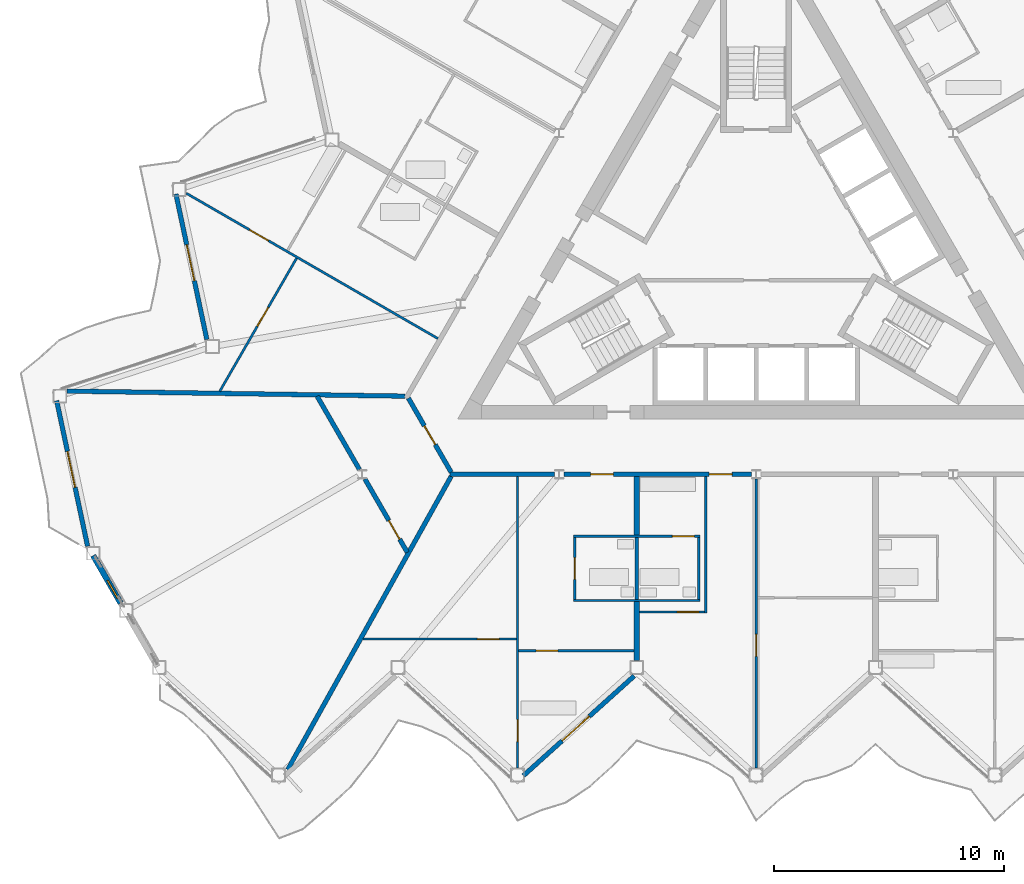
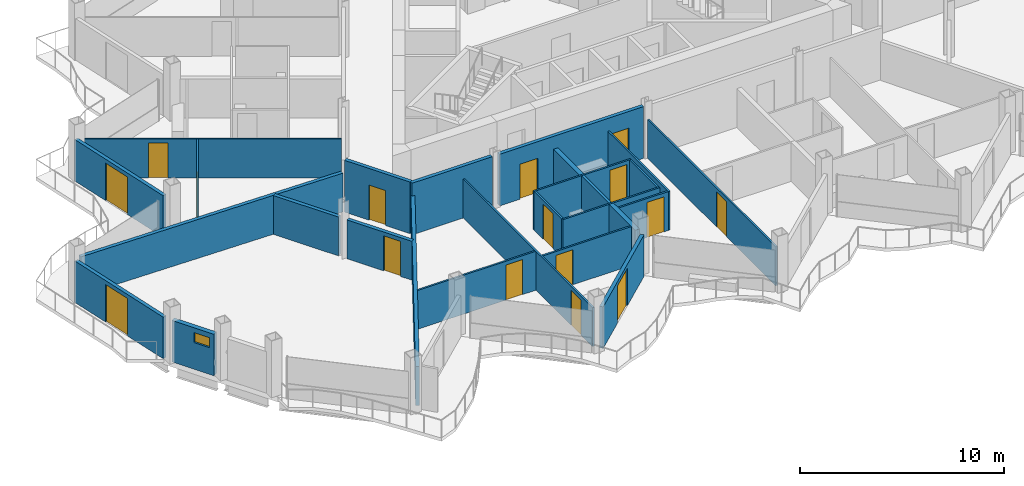
# One storey, part 13 of 26: 26 walls, 16 doors, 1 window, 17 openings.
"""IFC4 building model written with IfcOpenShell, lengths in metres."""

from ifc_helpers import new_model, si_unit, direction, frame, frame_2d, origin, place, context, subcontext, project, spatial, rectangle, extrude, material, layer, layer_set, type_object, element, fill, save


model = new_model("IFC4")

# Units and contexts
model_context = context("Model", 3, precision=1e-05, world=origin(), true_north=direction((0.0, 1.0)))
body_context = subcontext(model_context, "Body", "Model", "MODEL_VIEW")
ifc_project = project(units=[si_unit("LENGTHUNIT", "METRE"), si_unit("AREAUNIT", "SQUARE_METRE"), si_unit("VOLUMEUNIT", "CUBIC_METRE"), si_unit("PLANEANGLEUNIT", "RADIAN"), si_unit("MASSUNIT", "GRAM", prefix="KILO")], contexts=[model_context])

# Site, building, storey
site_placement = place(None, origin())
site = spatial("IfcSite", under=ifc_project, at=site_placement, CompositionType="ELEMENT")
building_placement = place(site_placement, origin())
building = spatial("IfcBuilding", under=site, at=building_placement, Name="Cormorant Prow Tower", CompositionType="ELEMENT")
storey_placement = place(building_placement, frame((0.0, 0.0, 329.0)))
storey = spatial("IfcBuildingStorey", under=building, at=storey_placement, Name="L73", CompositionType="ELEMENT", Elevation=329.0)

# Wall, openings, doors
ifc_material_1 = material(Name="Gypsum board corridor wall")
ifc_layer_1 = layer(ifc_material_1, 0.199951171875)
ifc_layer_set_1 = layer_set([ifc_layer_1], Name="Gypsum board corridor wall")
wall_type_1 = type_object("IfcWallType", Name="Corridor wall 200", PredefinedType="PARTITIONING", material=ifc_layer_set_1)
wall_1_placement = place(storey_placement, frame((-8.370849609375, -9.905517578125, 0.0), z_axis=(0.0, 0.0, 1.0), x_axis=(1.0, 0.0, 0.0)))
wall_1 = element("IfcWall", 1, at=wall_1_placement, inside=storey, type_object=wall_type_1, Name="Corridor wall", PredefinedType="PARTITIONING", context=body_context, shape_type="SweptSolid", body=[
    extrude(rectangle(XDim=8.1630859375, YDim=0.199951171875, at=frame_2d((4.08154296875, 0.0))), origin(), (0.0, 0.0, 1.0), 3.10009765625),
])
opening_1_placement = place(wall_1_placement, frame((1.15869140625, 0.0, 0.0)))
opening_1 = element("IfcOpeningElement", 2, at=opening_1_placement, cuts=wall_1, Name="Opening L73-F01", PredefinedType="OPENING", context=body_context, shape_type="SweptSolid", body=[
    extrude(rectangle(XDim=1.0, YDim=2.10009765625, at=frame_2d((0.5, 1.050048828125))), frame((0.0, 0.10986328125, 0.0), z_axis=(0.0, -1.0, 0.0), x_axis=(1.0, 0.0, 0.0)), (0.0, 0.0, 1.0), 0.219970703125),
])
opening_2_placement = place(wall_1_placement, frame((6.32666015625, 0.0, 0.0)))
opening_2 = element("IfcOpeningElement", 3, at=opening_2_placement, cuts=wall_1, Name="Opening L73-F06", PredefinedType="OPENING", context=body_context, shape_type="SweptSolid", body=[
    extrude(rectangle(XDim=1.0, YDim=2.10009765625, at=frame_2d((0.5, 1.050048828125))), frame((0.0, 0.10986328125, 0.0), z_axis=(0.0, -1.0, 0.0), x_axis=(1.0, 0.0, 0.0)), (0.0, 0.0, 1.0), 0.219970703125),
])
ifc_material_2 = material(Name="Timber door leaf", Category="wood")
door_type_1 = type_object("IfcDoorType", Name="Flat or room entrance door 1000x2100", OperationType="NOTDEFINED", PredefinedType="DOOR", material=ifc_material_2)
door_1_placement = place(opening_1_placement, origin())
door_1 = element("IfcDoor", 4, at=door_1_placement, inside=storey, type_object=door_type_1, Name="Living room door", OperationType="SINGLE_SWING_RIGHT", OverallHeight=2.10009765625, OverallWidth=1.0, PredefinedType="DOOR", context=body_context, shape_type="SweptSolid", body=[
    extrude(rectangle(XDim=1.0, YDim=2.10009765625, at=frame_2d((0.5, 1.050048828125))), frame((0.0, 0.02490234375, 0.0), z_axis=(0.0, -1.0, 0.0), x_axis=(1.0, 0.0, 0.0)), (0.0, 0.0, 1.0), 0.050048828125),
])
fill(opening_1, door_1)
door_2_placement = place(opening_2_placement, origin())
door_2 = element("IfcDoor", 5, at=door_2_placement, inside=storey, type_object=door_type_1, Name="Living room door", OperationType="SINGLE_SWING_LEFT", OverallHeight=2.10009765625, OverallWidth=1.0, PredefinedType="DOOR", context=body_context, shape_type="SweptSolid", body=[
    extrude(rectangle(XDim=1.0, YDim=2.10009765625, at=frame_2d((0.5, 1.050048828125))), frame((0.0, 0.02490234375, 0.0), z_axis=(0.0, -1.0, 0.0), x_axis=(1.0, 0.0, 0.0)), (0.0, 0.0, 1.0), 0.050048828125),
])
fill(opening_2, door_2)

# Wall
wall_2_placement = place(storey_placement, frame((-13.330810546875, -9.905517578125, 0.0), z_axis=(0.0, 0.0, 1.0), x_axis=(1.0, 0.0, 0.0)))
element("IfcWall", 6, at=wall_2_placement, inside=storey, type_object=wall_type_1, Name="Corridor wall", PredefinedType="PARTITIONING", context=body_context, shape_type="SweptSolid", body=[
    extrude(rectangle(XDim=4.544677734375, YDim=0.199951171875, at=frame_2d((2.2724609375, 0.0))), origin(), (0.0, 0.0, 1.0), 3.10009765625),
])

# Wall, opening, door
wall_3_placement = place(storey_placement, frame((-15.143798828125, -6.59228515625, 0.0), z_axis=(0.0, 0.0, 1.0), x_axis=(0.499958791762, -0.866049194065, 0.0)))
wall_3 = element("IfcWall", 7, at=wall_3_placement, inside=storey, type_object=wall_type_1, Name="Corridor wall", PredefinedType="PARTITIONING", context=body_context, shape_type="SweptSolid", body=[
    extrude(rectangle(XDim=3.725830078125, YDim=0.199951171875, at=frame_2d((1.86279296875, 0.0))), origin(), (0.0, 0.0, 1.0), 3.10009765625),
])
opening_3_placement = place(wall_3_placement, frame((1.387939453125, 0.0, 0.0)))
opening_3 = element("IfcOpeningElement", 8, at=opening_3_placement, cuts=wall_3, Name="Opening L73-F54", PredefinedType="OPENING", context=body_context, shape_type="SweptSolid", body=[
    extrude(rectangle(XDim=0.949951171875, YDim=2.10009765625, at=frame_2d((0.47509765625, 1.050048828125))), frame((0.0, 0.10986328125, 0.0), z_axis=(0.0, -1.0, 0.0), x_axis=(1.0, 0.0, 0.0)), (0.0, 0.0, 1.0), 0.219970703125),
])
ifc_material_3 = material(Name="Timber door leaf", Category="wood")
door_type_2 = type_object("IfcDoorType", Name="Store door 950x2100", OperationType="NOTDEFINED", PredefinedType="DOOR", material=ifc_material_3)
door_3_placement = place(opening_3_placement, origin())
door_3 = element("IfcDoor", 9, at=door_3_placement, inside=storey, type_object=door_type_2, Name="Bicycle store door", OperationType="SINGLE_SWING_LEFT", OverallHeight=2.10009765625, OverallWidth=0.949951171875, PredefinedType="DOOR", context=body_context, shape_type="SweptSolid", body=[
    extrude(rectangle(XDim=0.949951171875, YDim=2.10009765625, at=frame_2d((0.47509765625, 1.050048828125))), frame((0.0, 0.02490234375, 0.0), z_axis=(0.0, -1.0, 0.0), x_axis=(1.0, 0.0, 0.0)), (0.0, 0.0, 1.0), 0.050048828125),
])
fill(opening_3, door_3)

# Walls
ifc_material_4 = material(Name="Gypsum board demising wall")
ifc_layer_2 = layer(ifc_material_4, 0.199951171875)
ifc_layer_set_2 = layer_set([ifc_layer_2], Name="Gypsum board demising wall")
wall_type_2 = type_object("IfcWallType", Name="Demising wall 200", PredefinedType="PARTITIONING", material=ifc_layer_set_2)
wall_4_placement = place(storey_placement, frame((-20.403564453125, -22.772216796875, 0.0), z_axis=(0.0, 0.0, 1.0), x_axis=(0.486917529285, 0.873447949036, 0.0)))
element("IfcWall", 10, at=wall_4_placement, inside=storey, type_object=wall_type_2, Name="Demising wall", PredefinedType="PARTITIONING", context=body_context, shape_type="SweptSolid", body=[
    extrude(rectangle(XDim=14.630859375, YDim=0.199951171875, at=frame_2d((7.3154296875, 0.0))), origin(), (0.0, 0.0, 1.0), 2.330078125),
])
wall_5_placement = place(storey_placement, frame((-30.013671875, -6.282470703125, 0.0), z_axis=(0.0, 0.0, 1.0), x_axis=(0.99988686643, -0.015041753265, 0.0)))
element("IfcWall", 11, at=wall_5_placement, inside=storey, type_object=wall_type_2, Name="Demising wall", PredefinedType="PARTITIONING", context=body_context, shape_type="SweptSolid", body=[
    extrude(rectangle(XDim=14.721435546875, YDim=0.199951171875, at=frame_2d((7.36083984375, 0.0))), origin(), (0.0, 0.0, 1.0), 2.330078125),
])

# Wall, opening, door
wall_6_placement = place(storey_placement, frame((-17.037109375, -10.11328125, 0.0), z_axis=(0.0, 0.0, 1.0), x_axis=(0.50002820729, -0.866009117685, 0.0)))
wall_6 = element("IfcWall", 12, at=wall_6_placement, inside=storey, type_object=wall_type_2, Name="Demising wall", PredefinedType="PARTITIONING", context=body_context, shape_type="SweptSolid", body=[
    extrude(rectangle(XDim=3.686279296875, YDim=0.199951171875, at=frame_2d((1.84326171875, 0.0))), origin(), (0.0, 0.0, 1.0), 2.330078125),
])
opening_4_placement = place(wall_6_placement, frame((2.07958984375, 0.0, 0.0)))
opening_4 = element("IfcOpeningElement", 13, at=opening_4_placement, cuts=wall_6, Name="Opening L73-F55", PredefinedType="OPENING", context=body_context, shape_type="SweptSolid", body=[
    extrude(rectangle(XDim=0.949951171875, YDim=2.10009765625, at=frame_2d((0.47509765625, 1.050048828125))), frame((0.0, 0.10986328125, 0.0), z_axis=(0.0, -1.0, 0.0), x_axis=(1.0, 0.0, 0.0)), (0.0, 0.0, 1.0), 0.219970703125),
])
door_4_placement = place(opening_4_placement, origin())
door_4 = element("IfcDoor", 14, at=door_4_placement, inside=storey, type_object=door_type_2, Name="Refuse room door", OperationType="SINGLE_SWING_RIGHT", OverallHeight=2.10009765625, OverallWidth=0.949951171875, PredefinedType="DOOR", context=body_context, shape_type="SweptSolid", body=[
    extrude(rectangle(XDim=0.949951171875, YDim=2.10009765625, at=frame_2d((0.47509765625, 1.050048828125))), frame((0.0, 0.02490234375, 0.0), z_axis=(0.0, -1.0, 0.0), x_axis=(1.0, 0.0, 0.0)), (0.0, 0.0, 1.0), 0.050048828125),
])
fill(opening_4, door_4)

# Wall
wall_7_placement = place(storey_placement, frame((-19.119873046875, -6.505615234375, 0.0), z_axis=(0.0, 0.0, 1.0), x_axis=(0.499978535015, -0.866037796245, 0.0)))
element("IfcWall", 15, at=wall_7_placement, inside=storey, type_object=wall_type_2, Name="Demising wall", PredefinedType="PARTITIONING", context=body_context, shape_type="SweptSolid", body=[
    extrude(rectangle(XDim=3.686279296875, YDim=0.199951171875, at=frame_2d((1.84326171875, 0.0))), origin(), (0.0, 0.0, 1.0), 2.330078125),
])

# Wall, opening, door
ifc_material_5 = material(Name="Gypsum board partition")
ifc_layer_3 = layer(ifc_material_5, 0.10009765625)
ifc_layer_set_3 = layer_set([ifc_layer_3], Name="Gypsum board partition")
wall_type_3 = type_object("IfcWallType", Name="Internal partition 100", PredefinedType="PARTITIONING", material=ifc_layer_set_3)
wall_8_placement = place(storey_placement, frame((-10.389404296875, -22.697998046875, 0.0), z_axis=(0.0, 0.0, 1.0), x_axis=(0.0, 1.0, 0.0)))
wall_8 = element("IfcWall", 16, at=wall_8_placement, inside=storey, type_object=wall_type_3, Name="Internal partition", PredefinedType="PARTITIONING", context=body_context, shape_type="SweptSolid", body=[
    extrude(rectangle(XDim=12.6923828125, YDim=0.10009765625, at=frame_2d((6.34619140625, 0.0))), origin(), (0.0, 0.0, 1.0), 2.330078125),
])
opening_5_placement = place(wall_8_placement, frame((1.1533203125, 0.0, 0.0)))
opening_5 = element("IfcOpeningElement", 17, at=opening_5_placement, cuts=wall_8, Name="Opening L73-F04", PredefinedType="OPENING", context=body_context, shape_type="SweptSolid", body=[
    extrude(rectangle(XDim=0.949951171875, YDim=2.10009765625, at=frame_2d((0.47509765625, 1.050048828125))), frame((0.0, 0.06005859375, 0.0), z_axis=(0.0, -1.0, 0.0), x_axis=(1.0, 0.0, 0.0)), (0.0, 0.0, 1.0), 0.1201171875),
])
ifc_material_6 = material(Name="Timber door leaf", Category="wood")
door_type_3 = type_object("IfcDoorType", Name="Bathroom door 950x2100", OperationType="NOTDEFINED", PredefinedType="DOOR", material=ifc_material_6)
door_5_placement = place(opening_5_placement, origin())
door_5 = element("IfcDoor", 18, at=door_5_placement, inside=storey, type_object=door_type_3, Name="Kitchen door", OperationType="SINGLE_SWING_LEFT", OverallHeight=2.10009765625, OverallWidth=0.949951171875, PredefinedType="DOOR", context=body_context, shape_type="SweptSolid", body=[
    extrude(rectangle(XDim=0.949951171875, YDim=2.10009765625, at=frame_2d((0.47509765625, 1.050048828125))), frame((0.0, 0.02490234375, 0.0), z_axis=(0.0, -1.0, 0.0), x_axis=(1.0, 0.0, 0.0)), (0.0, 0.0, 1.0), 0.050048828125),
])
fill(opening_5, door_5)

wall_9_placement = place(storey_placement, frame((-24.814697265625, 2.330078125, 0.0), z_axis=(0.0, 0.0, 1.0), x_axis=(0.866027776657, -0.499995890042, 0.0)))
wall_9 = element("IfcWall", 19, at=wall_9_placement, inside=storey, type_object=wall_type_3, Name="Internal partition", PredefinedType="PARTITIONING", context=body_context, shape_type="SweptSolid", body=[
    extrude(rectangle(XDim=12.6494140625, YDim=0.10009765625, at=frame_2d((6.32470703125, 0.0))), origin(), (0.0, 0.0, 1.0), 2.330078125),
])
opening_6_placement = place(wall_9_placement, frame((3.176025390625, 0.0, 0.0)))
opening_6 = element("IfcOpeningElement", 20, at=opening_6_placement, cuts=wall_9, Name="Opening L73-F52", PredefinedType="OPENING", context=body_context, shape_type="SweptSolid", body=[
    extrude(rectangle(XDim=0.949951171875, YDim=2.10009765625, at=frame_2d((0.47509765625, 1.050048828125))), frame((0.0, 0.06005859375, 0.0), z_axis=(0.0, -1.0, 0.0), x_axis=(1.0, 0.0, 0.0)), (0.0, 0.0, 1.0), 0.1201171875),
])
door_6_placement = place(opening_6_placement, origin())
door_6 = element("IfcDoor", 21, at=door_6_placement, inside=storey, type_object=door_type_3, Name="Kitchen door", OperationType="SINGLE_SWING_RIGHT", OverallHeight=2.10009765625, OverallWidth=0.949951171875, PredefinedType="DOOR", context=body_context, shape_type="SweptSolid", body=[
    extrude(rectangle(XDim=0.949951171875, YDim=2.10009765625, at=frame_2d((0.47509765625, 1.050048828125))), frame((0.0, 0.02490234375, 0.0), z_axis=(0.0, -1.0, 0.0), x_axis=(1.0, 0.0, 0.0)), (0.0, 0.0, 1.0), 0.050048828125),
])
fill(opening_6, door_6)

wall_10_placement = place(storey_placement, frame((0.0, -22.697998046875, 0.0), z_axis=(0.0, 0.0, 1.0), x_axis=(0.0, 1.0, 0.0)))
wall_10 = element("IfcWall", 22, at=wall_10_placement, inside=storey, type_object=wall_type_3, Name="Internal partition", PredefinedType="PARTITIONING", context=body_context, shape_type="SweptSolid", body=[
    extrude(rectangle(XDim=12.584716796875, YDim=0.10009765625, at=frame_2d((6.29248046875, 0.0))), origin(), (0.0, 0.0, 1.0), 2.330078125),
])
opening_7_placement = place(wall_10_placement, frame((4.864501953125, 0.0, 0.0)))
opening_7 = element("IfcOpeningElement", 23, at=opening_7_placement, cuts=wall_10, Name="Opening L73-F08", PredefinedType="OPENING", context=body_context, shape_type="SweptSolid", body=[
    extrude(rectangle(XDim=0.949951171875, YDim=2.10009765625, at=frame_2d((0.47509765625, 1.050048828125))), frame((0.0, 0.06005859375, 0.0), z_axis=(0.0, -1.0, 0.0), x_axis=(1.0, 0.0, 0.0)), (0.0, 0.0, 1.0), 0.1201171875),
])
door_7_placement = place(opening_7_placement, origin())
door_7 = element("IfcDoor", 24, at=door_7_placement, inside=storey, type_object=door_type_3, Name="Living room door", OperationType="SINGLE_SWING_RIGHT", OverallHeight=2.10009765625, OverallWidth=0.949951171875, PredefinedType="DOOR", context=body_context, shape_type="SweptSolid", body=[
    extrude(rectangle(XDim=0.949951171875, YDim=2.10009765625, at=frame_2d((0.47509765625, 1.050048828125))), frame((0.0, 0.02490234375, 0.0), z_axis=(0.0, -1.0, 0.0), x_axis=(1.0, 0.0, 0.0)), (0.0, 0.0, 1.0), 0.050048828125),
])
fill(opening_7, door_7)

wall_11_placement = place(storey_placement, frame((-23.361083984375, -6.295166015625, 0.0), z_axis=(0.0, 0.0, 1.0), x_axis=(0.499987686533, 0.866032512851, 0.0)))
wall_11 = element("IfcWall", 25, at=wall_11_placement, inside=storey, type_object=wall_type_3, Name="Internal partition", PredefinedType="PARTITIONING", context=body_context, shape_type="SweptSolid", body=[
    extrude(rectangle(XDim=6.693115234375, YDim=0.10009765625, at=frame_2d((3.3466796875, 0.0))), origin(), (0.0, 0.0, 1.0), 2.330078125),
])
opening_8_placement = place(wall_11_placement, frame((3.27490234375, 0.0, 0.0)))
opening_8 = element("IfcOpeningElement", 26, at=opening_8_placement, cuts=wall_11, Name="Opening L73-F53", PredefinedType="OPENING", context=body_context, shape_type="SweptSolid", body=[
    extrude(rectangle(XDim=0.949951171875, YDim=2.10009765625, at=frame_2d((0.47509765625, 1.050048828125))), frame((0.0, 0.06005859375, 0.0), z_axis=(0.0, -1.0, 0.0), x_axis=(1.0, 0.0, 0.0)), (0.0, 0.0, 1.0), 0.1201171875),
])
door_8_placement = place(opening_8_placement, origin())
door_8 = element("IfcDoor", 27, at=door_8_placement, inside=storey, type_object=door_type_3, Name="Bedroom door", OperationType="SINGLE_SWING_RIGHT", OverallHeight=2.10009765625, OverallWidth=0.949951171875, PredefinedType="DOOR", context=body_context, shape_type="SweptSolid", body=[
    extrude(rectangle(XDim=0.949951171875, YDim=2.10009765625, at=frame_2d((0.47509765625, 1.050048828125))), frame((0.0, 0.02490234375, 0.0), z_axis=(0.0, -1.0, 0.0), x_axis=(1.0, 0.0, 0.0)), (0.0, 0.0, 1.0), 0.050048828125),
])
fill(opening_8, door_8)

wall_12_placement = place(storey_placement, frame((-17.13232421875, -17.083740234375, 0.0), z_axis=(0.0, 0.0, 1.0), x_axis=(1.0, 0.0, 0.0)))
wall_12 = element("IfcWall", 28, at=wall_12_placement, inside=storey, type_object=wall_type_3, Name="Internal partition", PredefinedType="PARTITIONING", context=body_context, shape_type="SweptSolid", body=[
    extrude(rectangle(XDim=6.69287109375, YDim=0.10009765625, at=frame_2d((3.346435546875, 0.0))), origin(), (0.0, 0.0, 1.0), 2.330078125),
])
opening_9_placement = place(wall_12_placement, frame((4.98876953125, 0.0, 0.0)))
opening_9 = element("IfcOpeningElement", 29, at=opening_9_placement, cuts=wall_12, Name="Opening L73-F05", PredefinedType="OPENING", context=body_context, shape_type="SweptSolid", body=[
    extrude(rectangle(XDim=0.949951171875, YDim=2.10009765625, at=frame_2d((0.47509765625, 1.050048828125))), frame((0.0, 0.06005859375, 0.0), z_axis=(0.0, -1.0, 0.0), x_axis=(1.0, 0.0, 0.0)), (0.0, 0.0, 1.0), 0.1201171875),
])
door_9_placement = place(opening_9_placement, origin())
door_9 = element("IfcDoor", 30, at=door_9_placement, inside=storey, type_object=door_type_3, Name="Bedroom door", OperationType="SINGLE_SWING_RIGHT", OverallHeight=2.10009765625, OverallWidth=0.949951171875, PredefinedType="DOOR", context=body_context, shape_type="SweptSolid", body=[
    extrude(rectangle(XDim=0.949951171875, YDim=2.10009765625, at=frame_2d((0.47509765625, 1.050048828125))), frame((0.0, 0.02490234375, 0.0), z_axis=(0.0, -1.0, 0.0), x_axis=(1.0, 0.0, 0.0)), (0.0, 0.0, 1.0), 0.050048828125),
])
fill(opening_9, door_9)

# Wall
wall_13_placement = place(storey_placement, frame((-2.194580078125, -15.95556640625, 0.0), z_axis=(0.0, 0.0, 1.0), x_axis=(0.0, 1.0, 0.0)))
element("IfcWall", 31, at=wall_13_placement, inside=storey, type_object=wall_type_3, Name="Internal partition", PredefinedType="PARTITIONING", context=body_context, shape_type="SweptSolid", body=[
    extrude(rectangle(XDim=5.949951171875, YDim=0.10009765625, at=frame_2d((2.97509765625, 0.0))), origin(), (0.0, 0.0, 1.0), 2.330078125),
])

# Wall, opening, door
wall_14_placement = place(storey_placement, frame((-7.944580078125, -12.605712890625, 0.0), z_axis=(0.0, 0.0, 1.0), x_axis=(1.0, 0.0, 0.0)))
wall_14 = element("IfcWall", 32, at=wall_14_placement, inside=storey, type_object=wall_type_3, Name="Internal partition", PredefinedType="PARTITIONING", context=body_context, shape_type="SweptSolid", body=[
    extrude(rectangle(XDim=5.5, YDim=0.10009765625, at=frame_2d((2.75, 0.0))), origin(), (0.0, 0.0, 1.0), 2.330078125),
])
opening_10_placement = place(wall_14_placement, frame((4.300048828125, 0.0, 0.0)))
opening_10 = element("IfcOpeningElement", 33, at=opening_10_placement, cuts=wall_14, Name="Opening L73-F10", PredefinedType="OPENING", context=body_context, shape_type="SweptSolid", body=[
    extrude(rectangle(XDim=0.949951171875, YDim=2.10009765625, at=frame_2d((0.47509765625, 1.050048828125))), frame((0.0, 0.06005859375, 0.0), z_axis=(0.0, -1.0, 0.0), x_axis=(1.0, 0.0, 0.0)), (0.0, 0.0, 1.0), 0.1201171875),
])
door_10_placement = place(opening_10_placement, origin())
door_10 = element("IfcDoor", 34, at=door_10_placement, inside=storey, type_object=door_type_3, Name="Kitchen door", OperationType="SINGLE_SWING_RIGHT", OverallHeight=2.10009765625, OverallWidth=0.949951171875, PredefinedType="DOOR", context=body_context, shape_type="SweptSolid", body=[
    extrude(rectangle(XDim=0.949951171875, YDim=2.10009765625, at=frame_2d((0.47509765625, 1.050048828125))), frame((0.0, 0.02490234375, 0.0), z_axis=(0.0, -1.0, 0.0), x_axis=(1.0, 0.0, 0.0)), (0.0, 0.0, 1.0), 0.050048828125),
])
fill(opening_10, door_10)

# Wall
wall_15_placement = place(storey_placement, frame((-7.944580078125, -15.405517578125, 0.0), z_axis=(0.0, 0.0, 1.0), x_axis=(1.0, 0.0, 0.0)))
element("IfcWall", 35, at=wall_15_placement, inside=storey, type_object=wall_type_3, Name="Internal partition", PredefinedType="PARTITIONING", context=body_context, shape_type="SweptSolid", body=[
    extrude(rectangle(XDim=5.5, YDim=0.10009765625, at=frame_2d((2.75, 0.0))), origin(), (0.0, 0.0, 1.0), 2.330078125),
])

# Wall, opening, door
wall_16_placement = place(storey_placement, frame((-10.33935546875, -17.591796875, 0.0), z_axis=(0.0, 0.0, 1.0), x_axis=(1.0, 0.0, 0.0)))
wall_16 = element("IfcWall", 36, at=wall_16_placement, inside=storey, type_object=wall_type_3, Name="Internal partition", PredefinedType="PARTITIONING", context=body_context, shape_type="SweptSolid", body=[
    extrude(rectangle(XDim=5.019775390625, YDim=0.10009765625, at=frame_2d((2.509765625, 0.0))), origin(), (0.0, 0.0, 1.0), 2.330078125),
])
opening_11_placement = place(wall_16_placement, frame((0.760009765625, 0.0, 0.0)))
opening_11 = element("IfcOpeningElement", 37, at=opening_11_placement, cuts=wall_16, Name="Opening L73-F03", PredefinedType="OPENING", context=body_context, shape_type="SweptSolid", body=[
    extrude(rectangle(XDim=0.949951171875, YDim=2.10009765625, at=frame_2d((0.47509765625, 1.050048828125))), frame((0.0, 0.06005859375, 0.0), z_axis=(0.0, -1.0, 0.0), x_axis=(1.0, 0.0, 0.0)), (0.0, 0.0, 1.0), 0.1201171875),
])
door_11_placement = place(opening_11_placement, origin())
door_11 = element("IfcDoor", 38, at=door_11_placement, inside=storey, type_object=door_type_3, Name="Living room door", OperationType="SINGLE_SWING_LEFT", OverallHeight=2.10009765625, OverallWidth=0.949951171875, PredefinedType="DOOR", context=body_context, shape_type="SweptSolid", body=[
    extrude(rectangle(XDim=0.949951171875, YDim=2.10009765625, at=frame_2d((0.47509765625, 1.050048828125))), frame((0.0, 0.02490234375, 0.0), z_axis=(0.0, -1.0, 0.0), x_axis=(1.0, 0.0, 0.0)), (0.0, 0.0, 1.0), 0.050048828125),
])
fill(opening_11, door_11)

wall_17_placement = place(storey_placement, frame((-5.069580078125, -15.905517578125, 0.0), z_axis=(0.0, 0.0, 1.0), x_axis=(1.0, 0.0, 0.0)))
wall_17 = element("IfcWall", 39, at=wall_17_placement, inside=storey, type_object=wall_type_3, Name="Internal partition", PredefinedType="PARTITIONING", context=body_context, shape_type="SweptSolid", body=[
    extrude(rectangle(XDim=2.824951171875, YDim=0.10009765625, at=frame_2d((1.41259765625, 0.0))), origin(), (0.0, 0.0, 1.0), 2.330078125),
])
opening_12_placement = place(wall_17_placement, frame((1.625, 0.0, 0.0)))
opening_12 = element("IfcOpeningElement", 40, at=opening_12_placement, cuts=wall_17, Name="Opening L73-F07", PredefinedType="OPENING", context=body_context, shape_type="SweptSolid", body=[
    extrude(rectangle(XDim=0.949951171875, YDim=2.10009765625, at=frame_2d((0.47509765625, 1.050048828125))), frame((0.0, 0.06005859375, 0.0), z_axis=(0.0, -1.0, 0.0), x_axis=(1.0, 0.0, 0.0)), (0.0, 0.0, 1.0), 0.1201171875),
])
door_12_placement = place(opening_12_placement, origin())
door_12 = element("IfcDoor", 41, at=door_12_placement, inside=storey, type_object=door_type_3, Name="Living room door", OperationType="SINGLE_SWING_RIGHT", OverallHeight=2.10009765625, OverallWidth=0.949951171875, PredefinedType="DOOR", context=body_context, shape_type="SweptSolid", body=[
    extrude(rectangle(XDim=0.949951171875, YDim=2.10009765625, at=frame_2d((0.47509765625, 1.050048828125))), frame((0.0, 0.02490234375, 0.0), z_axis=(0.0, -1.0, 0.0), x_axis=(1.0, 0.0, 0.0)), (0.0, 0.0, 1.0), 0.050048828125),
])
fill(opening_12, door_12)

wall_18_placement = place(storey_placement, frame((-7.894775390625, -15.355712890625, 0.0), z_axis=(0.0, 0.0, 1.0), x_axis=(0.0, 1.0, 0.0)))
wall_18 = element("IfcWall", 42, at=wall_18_placement, inside=storey, type_object=wall_type_3, Name="Internal partition", PredefinedType="PARTITIONING", context=body_context, shape_type="SweptSolid", body=[
    extrude(rectangle(XDim=2.7001953125, YDim=0.10009765625, at=frame_2d((1.35009765625, 0.0))), origin(), (0.0, 0.0, 1.0), 2.330078125),
])
opening_13_placement = place(wall_18_placement, frame((0.875, 0.0, 0.0)))
opening_13 = element("IfcOpeningElement", 43, at=opening_13_placement, cuts=wall_18, Name="Opening L73-F02", PredefinedType="OPENING", context=body_context, shape_type="SweptSolid", body=[
    extrude(rectangle(XDim=0.949951171875, YDim=2.10009765625, at=frame_2d((0.47509765625, 1.050048828125))), frame((0.0, 0.06005859375, 0.0), z_axis=(0.0, -1.0, 0.0), x_axis=(1.0, 0.0, 0.0)), (0.0, 0.0, 1.0), 0.1201171875),
])
door_13_placement = place(opening_13_placement, origin())
door_13 = element("IfcDoor", 44, at=door_13_placement, inside=storey, type_object=door_type_3, Name="Living room door", OperationType="SINGLE_SWING_RIGHT", OverallHeight=2.10009765625, OverallWidth=0.949951171875, PredefinedType="DOOR", context=body_context, shape_type="SweptSolid", body=[
    extrude(rectangle(XDim=0.949951171875, YDim=2.10009765625, at=frame_2d((0.47509765625, 1.050048828125))), frame((0.0, 0.02490234375, 0.0), z_axis=(0.0, -1.0, 0.0), x_axis=(1.0, 0.0, 0.0)), (0.0, 0.0, 1.0), 0.050048828125),
])
fill(opening_13, door_13)

# Walls
wall_19_placement = place(storey_placement, frame((-2.49462890625, -15.355712890625, 0.0), z_axis=(0.0, 0.0, 1.0), x_axis=(0.0, 1.0, 0.0)))
element("IfcWall", 45, at=wall_19_placement, inside=storey, type_object=wall_type_3, Name="Internal partition", PredefinedType="PARTITIONING", context=body_context, shape_type="SweptSolid", body=[
    extrude(rectangle(XDim=2.7001953125, YDim=0.10009765625, at=frame_2d((1.35009765625, 0.0))), origin(), (0.0, 0.0, 1.0), 2.330078125),
])
ifc_material_7 = material(Name="Acoustic gypsum party wall")
ifc_layer_4 = layer(ifc_material_7, 0.25)
ifc_layer_set_4 = layer_set([ifc_layer_4], Name="Acoustic gypsum party wall")
wall_type_4 = type_object("IfcWallType", Name="Suite party wall 250", PredefinedType="PARTITIONING", material=ifc_layer_set_4)
wall_20_placement = place(storey_placement, frame((-5.194580078125, -12.5556640625, 0.0), z_axis=(0.0, 0.0, 1.0), x_axis=(0.0, 1.0, 0.0)))
element("IfcWall", 46, at=wall_20_placement, inside=storey, type_object=wall_type_4, Name="Suite party wall", PredefinedType="PARTITIONING", context=body_context, shape_type="SweptSolid", body=[
    extrude(rectangle(XDim=2.550048828125, YDim=0.25, at=frame_2d((1.27490234375, 0.0))), origin(), (0.0, 0.0, 1.0), 2.330078125),
])
wall_21_placement = place(storey_placement, frame((-5.194580078125, -18.016845703125, 0.0), z_axis=(0.0, 0.0, 1.0), x_axis=(0.0, 1.0, 0.0)))
element("IfcWall", 47, at=wall_21_placement, inside=storey, type_object=wall_type_4, Name="Suite party wall", PredefinedType="PARTITIONING", context=body_context, shape_type="SweptSolid", body=[
    extrude(rectangle(XDim=2.561279296875, YDim=0.25, at=frame_2d((1.28076171875, 0.0))), origin(), (0.0, 0.0, 1.0), 2.330078125),
])

# Wall, opening, window
ifc_material_8 = material(Name="Terracotta", Category="masonry")
ifc_layer_5 = layer(ifc_material_8, 0.25)
ifc_layer_set_5 = layer_set([ifc_layer_5], Name="Terracotta")
wall_type_5 = type_object("IfcWallType", Name="Terracotta bay wall 250", PredefinedType="SOLIDWALL", material=ifc_layer_set_5)
wall_22_placement = place(storey_placement, frame((-28.871826171875, -13.447998046875, 0.0), z_axis=(0.0, 0.0, 1.0), x_axis=(0.499982446489, -0.866035538072, 0.0)))
wall_22 = element("IfcWall", 48, at=wall_22_placement, inside=storey, type_object=wall_type_5, Name="Terracotta bay wall WSW00", PredefinedType="SOLIDWALL", context=body_context, shape_type="SweptSolid", body=[
    extrude(rectangle(XDim=2.38427734375, YDim=0.25, at=frame_2d((1.192138671875, 0.0))), origin(), (0.0, 0.0, 1.0), 2.48779296875),
])
opening_14_placement = place(wall_22_placement, frame((1.25, 0.0, 1.60009765625)))
opening_14 = element("IfcOpeningElement", 49, at=opening_14_placement, cuts=wall_22, Name="Opening WN7", PredefinedType="OPENING", context=body_context, shape_type="SweptSolid", body=[
    extrude(rectangle(XDim=0.89990234375, YDim=0.60009765625, at=frame_2d((0.449951171875, 0.300048828125))), frame((0.0, 0.135009765625, 0.0), z_axis=(0.0, -1.0, 0.0), x_axis=(1.0, 0.0, 0.0)), (0.0, 0.0, 1.0), 0.27001953125),
])
ifc_material_9 = material(Name="Aluminium 6063-T6", Category="aluminium")
window_type = type_object("IfcWindowType", Name="Corner bay window 900x600", PartitioningType="SINGLE_PANEL", PredefinedType="WINDOW", material=ifc_material_9)
window_placement = place(opening_14_placement, origin())
window = element("IfcWindow", 50, at=window_placement, inside=storey, type_object=window_type, Name="Corner bay window WSW00", OverallHeight=0.60009765625, OverallWidth=0.89990234375, PartitioningType="SINGLE_PANEL", PredefinedType="WINDOW", context=body_context, shape_type="SweptSolid", body=[
    extrude(rectangle(XDim=0.89990234375, YDim=0.60009765625, at=frame_2d((0.449951171875, 0.300048828125))), frame((0.0, 0.030029296875, 0.0), z_axis=(0.0, -1.0, 0.0), x_axis=(1.0, 0.0, 0.0)), (0.0, 0.0, 1.0), 0.06005859375),
])
fill(opening_14, window)

# Wall, opening, door
ifc_material_10 = material(Name="Terracotta", Category="masonry")
ifc_layer_6 = layer(ifc_material_10, 0.199951171875)
ifc_layer_set_6 = layer_set([ifc_layer_6], Name="Terracotta")
wall_type_6 = type_object("IfcWallType", Name="Terracotta jamb wall 200", PredefinedType="SOLIDWALL", material=ifc_layer_set_6)
wall_23_placement = place(storey_placement, frame((-10.1337890625, -23.03076171875, 0.0), z_axis=(0.0, 0.0, 1.0), x_axis=(0.743138937876, 0.669137145145, 0.0)))
wall_23 = element("IfcWall", 51, at=wall_23_placement, inside=storey, type_object=wall_type_6, Name="Terracotta jamb wall S03", PredefinedType="SOLIDWALL", context=body_context, shape_type="SweptSolid", body=[
    extrude(rectangle(XDim=6.49267578125, YDim=0.199951171875, at=frame_2d((3.246337890625, 0.0))), origin(), (0.0, 0.0, 1.0), 2.48779296875),
])
opening_15_placement = place(wall_23_placement, frame((2.260986328125, 0.0, 0.0)))
opening_15 = element("IfcOpeningElement", 52, at=opening_15_placement, cuts=wall_23, Name="Opening ED73.02", PredefinedType="OPENING", context=body_context, shape_type="SweptSolid", body=[
    extrude(rectangle(XDim=1.60009765625, YDim=2.25, at=frame_2d((0.800048828125, 1.125))), frame((0.0, 0.10986328125, 0.0), z_axis=(0.0, -1.0, 0.0), x_axis=(1.0, 0.0, 0.0)), (0.0, 0.0, 1.0), 0.219970703125),
])
ifc_material_11 = material(Name="Aluminium 6063-T6", Category="aluminium")
door_type_4 = type_object("IfcDoorType", Name="Balcony door 1600x2250", OperationType="DOUBLE_DOOR_SINGLE_SWING", PredefinedType="DOOR", material=ifc_material_11)
door_14_placement = place(opening_15_placement, origin())
door_14 = element("IfcDoor", 53, at=door_14_placement, inside=storey, type_object=door_type_4, Name="Balcony door S03 ED73.02", OperationType="DOUBLE_DOOR_SINGLE_SWING", OverallHeight=2.25, OverallWidth=1.60009765625, PredefinedType="DOOR", context=body_context, shape_type="SweptSolid", body=[
    extrude(rectangle(XDim=1.60009765625, YDim=2.25, at=frame_2d((0.800048828125, 1.125))), frame((0.0, 0.02490234375, 0.0), z_axis=(0.0, -1.0, 0.0), x_axis=(1.0, 0.0, 0.0)), (0.0, 0.0, 1.0), 0.050048828125),
])
fill(opening_15, door_14)

wall_24_placement = place(storey_placement, frame((-25.267822265625, 2.296630859375, 0.0), z_axis=(0.0, 0.0, 1.0), x_axis=(0.207937232358, -0.978142171363, 0.0)))
wall_24 = element("IfcWall", 54, at=wall_24_placement, inside=storey, type_object=wall_type_6, Name="Terracotta jamb wall WNW07", PredefinedType="SOLIDWALL", context=body_context, shape_type="SweptSolid", body=[
    extrude(rectangle(XDim=6.47412109375, YDim=0.199951171875, at=frame_2d((3.237060546875, 0.0))), origin(), (0.0, 0.0, 1.0), 2.48779296875),
])
opening_16_placement = place(wall_24_placement, frame((2.260986328125, 0.0, 0.0)))
opening_16 = element("IfcOpeningElement", 55, at=opening_16_placement, cuts=wall_24, Name="Opening ED73.14", PredefinedType="OPENING", context=body_context, shape_type="SweptSolid", body=[
    extrude(rectangle(XDim=1.60009765625, YDim=2.25, at=frame_2d((0.800048828125, 1.125))), frame((0.0, 0.10986328125, 0.0), z_axis=(0.0, -1.0, 0.0), x_axis=(1.0, 0.0, 0.0)), (0.0, 0.0, 1.0), 0.219970703125),
])
door_15_placement = place(opening_16_placement, origin())
door_15 = element("IfcDoor", 56, at=door_15_placement, inside=storey, type_object=door_type_4, Name="Balcony door WNW07 ED73.14", OperationType="DOUBLE_DOOR_SINGLE_SWING", OverallHeight=2.25, OverallWidth=1.60009765625, PredefinedType="DOOR", context=body_context, shape_type="SweptSolid", body=[
    extrude(rectangle(XDim=1.60009765625, YDim=2.25, at=frame_2d((0.800048828125, 1.125))), frame((0.0, 0.02490234375, 0.0), z_axis=(0.0, -1.0, 0.0), x_axis=(1.0, 0.0, 0.0)), (0.0, 0.0, 1.0), 0.050048828125),
])
fill(opening_16, door_15)

wall_25_placement = place(storey_placement, frame((-30.46240234375, -6.700927734375, 0.0), z_axis=(0.0, 0.0, 1.0), x_axis=(0.207915966693, -0.978146691859, 0.0)))
wall_25 = element("IfcWall", 57, at=wall_25_placement, inside=storey, type_object=wall_type_6, Name="Terracotta jamb wall WNW09", PredefinedType="SOLIDWALL", context=body_context, shape_type="SweptSolid", body=[
    extrude(rectangle(XDim=6.481689453125, YDim=0.199951171875, at=frame_2d((3.24072265625, 0.0))), origin(), (0.0, 0.0, 1.0), 2.48779296875),
])
opening_17_placement = place(wall_25_placement, frame((2.260986328125, 0.0, 0.0)))
opening_17 = element("IfcOpeningElement", 58, at=opening_17_placement, cuts=wall_25, Name="Opening ED73.15", PredefinedType="OPENING", context=body_context, shape_type="SweptSolid", body=[
    extrude(rectangle(XDim=1.60009765625, YDim=2.25, at=frame_2d((0.800048828125, 1.125))), frame((0.0, 0.10986328125, 0.0), z_axis=(0.0, -1.0, 0.0), x_axis=(1.0, 0.0, 0.0)), (0.0, 0.0, 1.0), 0.219970703125),
])
door_16_placement = place(opening_17_placement, origin())
door_16 = element("IfcDoor", 59, at=door_16_placement, inside=storey, type_object=door_type_4, Name="Balcony door WNW09 ED73.15", OperationType="DOUBLE_DOOR_SINGLE_SWING", OverallHeight=2.25, OverallWidth=1.60009765625, PredefinedType="DOOR", context=body_context, shape_type="SweptSolid", body=[
    extrude(rectangle(XDim=1.60009765625, YDim=2.25, at=frame_2d((0.800048828125, 1.125))), frame((0.0, 0.02490234375, 0.0), z_axis=(0.0, -1.0, 0.0), x_axis=(1.0, 0.0, 0.0)), (0.0, 0.0, 1.0), 0.050048828125),
])
fill(opening_17, door_16)

# Wall
ifc_material_12 = material(Name="Plasterboard wet wall with pipe chase")
ifc_layer_7 = layer(ifc_material_12, 0.14990234375)
ifc_layer_set_7 = layer_set([ifc_layer_7], Name="Plasterboard wet wall with pipe chase")
wall_type_7 = type_object("IfcWallType", Name="Wet wall 150", PredefinedType="PLUMBINGWALL", material=ifc_layer_set_7)
wall_26_placement = place(storey_placement, frame((-5.194580078125, -15.355712890625, 0.0), z_axis=(0.0, 0.0, 1.0), x_axis=(0.0, 1.0, 0.0)))
element("IfcWall", 60, at=wall_26_placement, inside=storey, type_object=wall_type_7, Name="Wet wall", PredefinedType="PLUMBINGWALL", context=body_context, shape_type="SweptSolid", body=[
    extrude(rectangle(XDim=2.7001953125, YDim=0.14990234375, at=frame_2d((1.35009765625, 0.0))), origin(), (0.0, 0.0, 1.0), 2.330078125),
])

save(model, "model.ifc")
